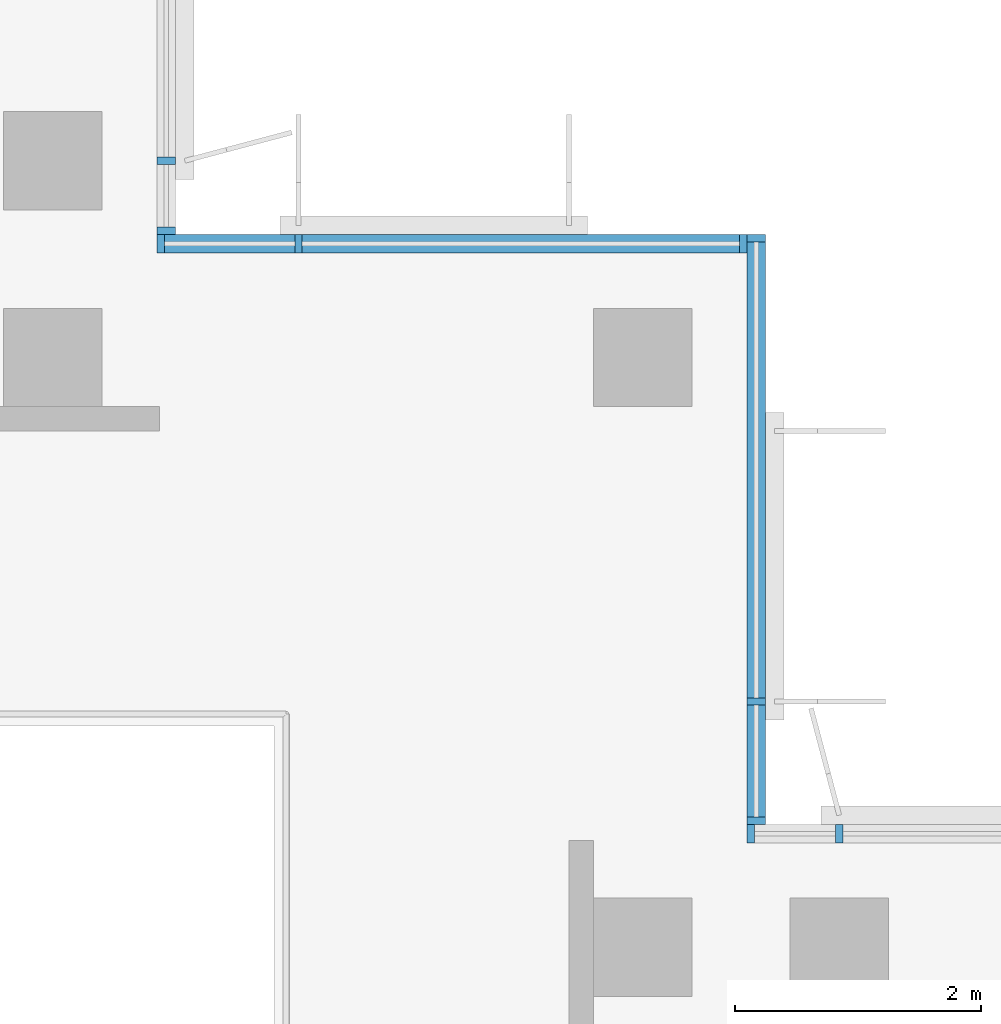
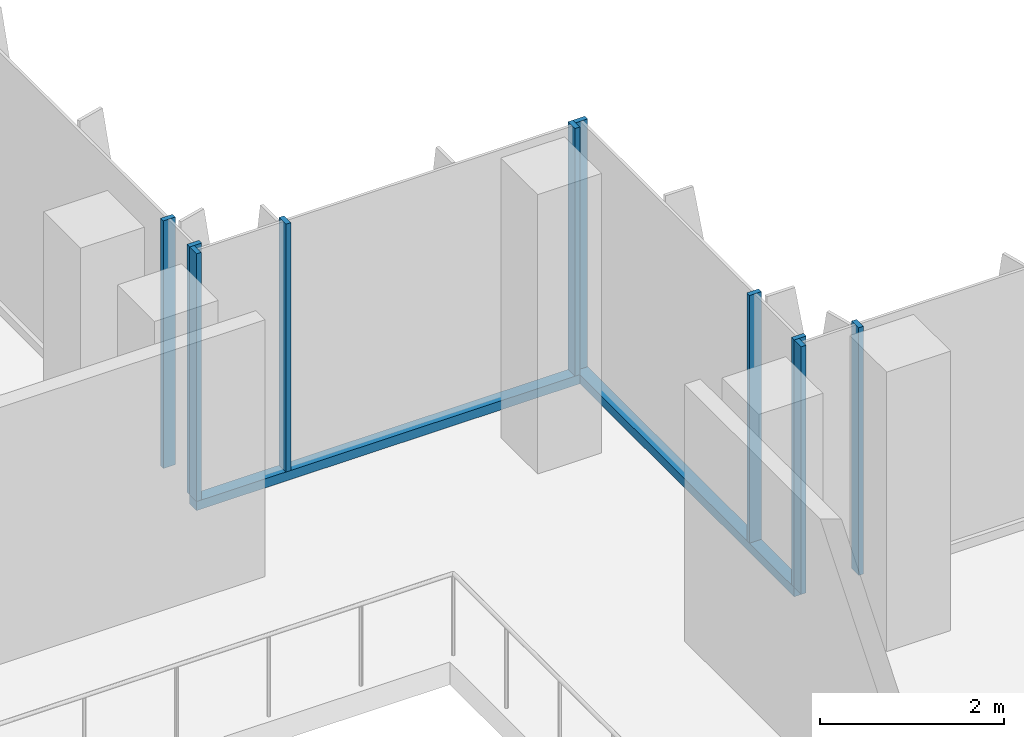
# One storey, part 2 of 15: 12 members, 4 elements without a shape of their own.
"""IFC4 building model written with IfcOpenShell, lengths in metres."""

from ifc_helpers import new_model, si_unit, direction, frame, origin, origin_2d, place, context, subcontext, project, spatial, rectangle, extrude, source, transform, mapped, material, material_profile, profile_set, type_object, element, aggregate, save


model = new_model("IFC4")

# Units and contexts
model_context = context("Model", 3, precision=1e-05, world=origin(), true_north=direction((0.0, 1.0)))
body_context = subcontext(model_context, "Body", "Model", "MODEL_VIEW")
ifc_project = project(units=[si_unit("LENGTHUNIT", "METRE"), si_unit("AREAUNIT", "SQUARE_METRE"), si_unit("VOLUMEUNIT", "CUBIC_METRE"), si_unit("PLANEANGLEUNIT", "RADIAN"), si_unit("MASSUNIT", "GRAM", prefix="KILO")], contexts=[model_context])

# Site, building, storey
site_placement = place(None, origin())
site = spatial("IfcSite", under=ifc_project, at=site_placement, CompositionType="ELEMENT")
building_placement = place(site_placement, origin())
building = spatial("IfcBuilding", under=site, at=building_placement, Name="Kemantara Hotel Tower", CompositionType="ELEMENT")
storey_placement = place(building_placement, frame((0.0, 0.0, 268.5)))
storey = spatial("IfcBuildingStorey", under=building, at=storey_placement, Name="L67", CompositionType="ELEMENT", Elevation=268.5)

# Curtain wall, member
ifc_material_1 = material(Name="Low-E tinted double insulated glass 36 mm", Category="glass")
curtain_wall_type = type_object("IfcCurtainWallType", Name="TOWER CURTAIN WALL, FRONT FACES", PredefinedType="USERDEFINED", material=ifc_material_1)
curtain_wall_1_placement = place(storey_placement, origin())
curtain_wall_1 = element("IfcCurtainWall", 1, at=curtain_wall_1_placement, inside=storey, type_object=curtain_wall_type, Name="CW4 L67 T4-R13-1", ObjectType="TOWER CURTAIN WALL, FRONT FACES", PredefinedType="USERDEFINED")
ifc_material_2 = material(Name="Aluminium 6063-T6 bronze anodised", Category="aluminium")
ifc_material_profile_1 = material_profile(ifc_material_2, rectangle(XDim=0.14990234375, YDim=0.1201171875, at=origin_2d()), Name="TOWER CURTAIN WALL, FRONT FACES TRANSOM")
ifc_profile_set_1 = profile_set([ifc_material_profile_1], Name="Aluminium 6063-T6 bronze anodised")
member_type_1 = type_object("IfcMemberType", Name="TOWER CURTAIN WALL, FRONT FACES TRANSOM", PredefinedType="USERDEFINED", material=ifc_profile_set_1)
member_1_placement = place(storey_placement, frame((26.72509765625, 22.0, 0.06005859375), z_axis=(0.0, 1.0, 0.0), x_axis=(-1.0, 0.0, 0.0)))
member_1 = element("IfcMember", 2, at=member_1_placement, type_object=member_type_1, Name="CW4 sill transom T4-R13-1", ObjectType="TRANSOM", PredefinedType="USERDEFINED", context=body_context, shape_type="SweptSolid", body=[
    extrude(rectangle(XDim=0.14990234375, YDim=0.1201171875, at=origin_2d()), origin(), (0.0, 0.0, 1.0), 4.800048828125),
])

curtain_wall_2_placement = place(storey_placement, origin())
curtain_wall_2 = element("IfcCurtainWall", 3, at=curtain_wall_2_placement, inside=storey, type_object=curtain_wall_type, Name="CW4 L67 T4-R14-1", ObjectType="TOWER CURTAIN WALL, FRONT FACES", PredefinedType="USERDEFINED")
member_2_placement = place(storey_placement, frame((26.64990234375, 26.72509765625, 0.06005859375), z_axis=(-1.0, 0.0, 0.0), x_axis=(0.0, -1.0, 0.0)))
member_2 = element("IfcMember", 4, at=member_2_placement, type_object=member_type_1, Name="CW4 sill transom T4-R14-1", ObjectType="TRANSOM", PredefinedType="USERDEFINED", context=body_context, shape_type="SweptSolid", body=[
    extrude(rectangle(XDim=0.14990234375, YDim=0.1201171875, at=origin_2d()), origin(), (0.0, 0.0, 1.0), 4.7998046875),
])

# Curtain wall, members
curtain_wall_3_placement = place(storey_placement, origin())
curtain_wall_3 = element("IfcCurtainWall", 5, at=curtain_wall_3_placement, inside=storey, type_object=curtain_wall_type, Name="CW4 L67 T4-R12-1", ObjectType="TOWER CURTAIN WALL, FRONT FACES", PredefinedType="USERDEFINED")
ifc_material_profile_2 = material_profile(ifc_material_2, rectangle(XDim=0.14990234375, YDim=0.06005859375, at=origin_2d()), Name="TOWER CURTAIN WALL, FRONT FACES MULLION")
ifc_profile_set_2 = profile_set([ifc_material_profile_2], Name="Aluminium 6063-T6 bronze anodised")
member_type_2 = type_object("IfcMemberType", Name="TOWER CURTAIN WALL, FRONT FACES MULLION", PredefinedType="MULLION", material=ifc_profile_set_2)
shared_shape = source(origin(), body_context, "Body", "SweptSolid", [
    extrude(rectangle(XDim=0.14990234375, YDim=0.06005859375, at=origin_2d()), origin(), (0.0, 0.0, 1.0), 3.27978515625),
])
member_3_placement = place(storey_placement, frame((27.39990234375, 21.925048828125, 0.1201171875), z_axis=(0.0, 0.0, 1.0), x_axis=(0.0, -1.0, 0.0)))
member_3 = element("IfcMember", 6, at=member_3_placement, type_object=member_type_2, Name="CW4 mullion T4-R12-1.5", PredefinedType="MULLION", context=body_context, shape_type="MappedRepresentation", body=[
    mapped(shared_shape, transform((0.0, 0.0, 0.0))),
])
member_4_placement = place(storey_placement, frame((26.679931640625, 21.925048828125, 0.1201171875), z_axis=(0.0, 0.0, 1.0), x_axis=(0.0, -1.0, 0.0)))
member_4 = element("IfcMember", 7, at=member_4_placement, type_object=member_type_2, Name="CW4 mullion T4-R12-1.6", PredefinedType="MULLION", context=body_context, shape_type="MappedRepresentation", body=[
    mapped(shared_shape, transform((0.0, 0.0, 0.0))),
])
aggregate(curtain_wall_3, [member_3, member_4])

# Member
member_5_placement = place(storey_placement, frame((26.72509765625, 22.030029296875, 0.1201171875), z_axis=(0.0, 0.0, 1.0), x_axis=(-1.0, 0.0, 0.0)))
member_5 = element("IfcMember", 8, at=member_5_placement, type_object=member_type_2, Name="CW4 mullion T4-R13-1.1", PredefinedType="MULLION", context=body_context, shape_type="MappedRepresentation", body=[
    mapped(shared_shape, transform((0.0, 0.0, 0.0))),
])

member_6_placement = place(storey_placement, frame((26.72509765625, 23.0, 0.1201171875), z_axis=(0.0, 0.0, 1.0), x_axis=(-1.0, 0.0, 0.0)))
member_6 = element("IfcMember", 9, at=member_6_placement, type_object=member_type_2, Name="CW4 mullion T4-R13-1.2", PredefinedType="MULLION", context=body_context, shape_type="MappedRepresentation", body=[
    mapped(shared_shape, transform((0.0, 0.0, 0.0))),
])

member_7_placement = place(storey_placement, frame((26.72509765625, 26.77001953125, 0.1201171875), z_axis=(0.0, 0.0, 1.0), x_axis=(-1.0, 0.0, 0.0)))
member_7 = element("IfcMember", 10, at=member_7_placement, type_object=member_type_2, Name="CW4 mullion T4-R13-1.3", PredefinedType="MULLION", context=body_context, shape_type="MappedRepresentation", body=[
    mapped(shared_shape, transform((0.0, 0.0, 0.0))),
])

aggregate(curtain_wall_1, [member_1, member_5, member_6, member_7])

member_8_placement = place(storey_placement, frame((26.6201171875, 26.72509765625, 0.1201171875), z_axis=(0.0, 0.0, 1.0), x_axis=(0.0, -1.0, 0.0)))
member_8 = element("IfcMember", 11, at=member_8_placement, type_object=member_type_2, Name="CW4 mullion T4-R14-1.1", PredefinedType="MULLION", context=body_context, shape_type="MappedRepresentation", body=[
    mapped(shared_shape, transform((0.0, 0.0, 0.0))),
])

member_9_placement = place(storey_placement, frame((23.0, 26.72509765625, 0.1201171875), z_axis=(0.0, 0.0, 1.0), x_axis=(0.0, -1.0, 0.0)))
member_9 = element("IfcMember", 12, at=member_9_placement, type_object=member_type_2, Name="CW4 mullion T4-R14-1.2", PredefinedType="MULLION", context=body_context, shape_type="MappedRepresentation", body=[
    mapped(shared_shape, transform((0.0, 0.0, 0.0))),
])

member_10_placement = place(storey_placement, frame((21.8798828125, 26.72509765625, 0.1201171875), z_axis=(0.0, 0.0, 1.0), x_axis=(0.0, -1.0, 0.0)))
member_10 = element("IfcMember", 13, at=member_10_placement, type_object=member_type_2, Name="CW4 mullion T4-R14-1.3", PredefinedType="MULLION", context=body_context, shape_type="MappedRepresentation", body=[
    mapped(shared_shape, transform((0.0, 0.0, 0.0))),
])

aggregate(curtain_wall_2, [member_2, member_8, member_9, member_10])

# Curtain wall, members
curtain_wall_4_placement = place(storey_placement, origin())
curtain_wall_4 = element("IfcCurtainWall", 14, at=curtain_wall_4_placement, inside=storey, type_object=curtain_wall_type, Name="CW4 L67 T4-R15-1", ObjectType="TOWER CURTAIN WALL, FRONT FACES", PredefinedType="USERDEFINED")
member_11_placement = place(storey_placement, frame((21.925048828125, 26.830078125, 0.1201171875), z_axis=(0.0, 0.0, 1.0), x_axis=(-1.0, 0.0, 0.0)))
member_11 = element("IfcMember", 15, at=member_11_placement, type_object=member_type_2, Name="CW4 mullion T4-R15-1.1", PredefinedType="MULLION", context=body_context, shape_type="MappedRepresentation", body=[
    mapped(shared_shape, transform((0.0, 0.0, 0.0))),
])
member_12_placement = place(storey_placement, frame((21.925048828125, 27.39990234375, 0.1201171875), z_axis=(0.0, 0.0, 1.0), x_axis=(-1.0, 0.0, 0.0)))
member_12 = element("IfcMember", 16, at=member_12_placement, type_object=member_type_2, Name="CW4 mullion T4-R15-1.2", PredefinedType="MULLION", context=body_context, shape_type="MappedRepresentation", body=[
    mapped(shared_shape, transform((0.0, 0.0, 0.0))),
])
aggregate(curtain_wall_4, [member_11, member_12])

save(model, "model.ifc")
